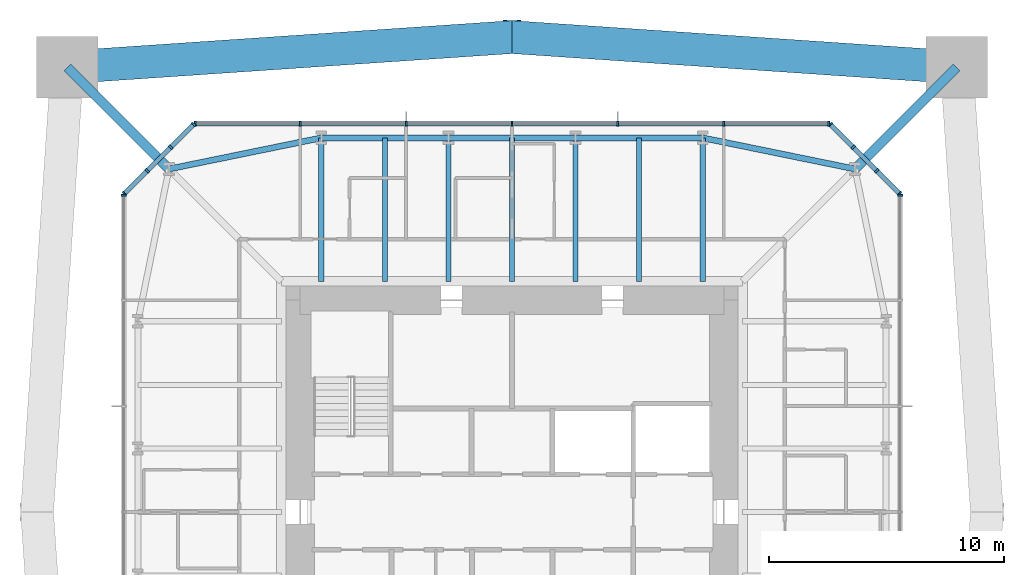
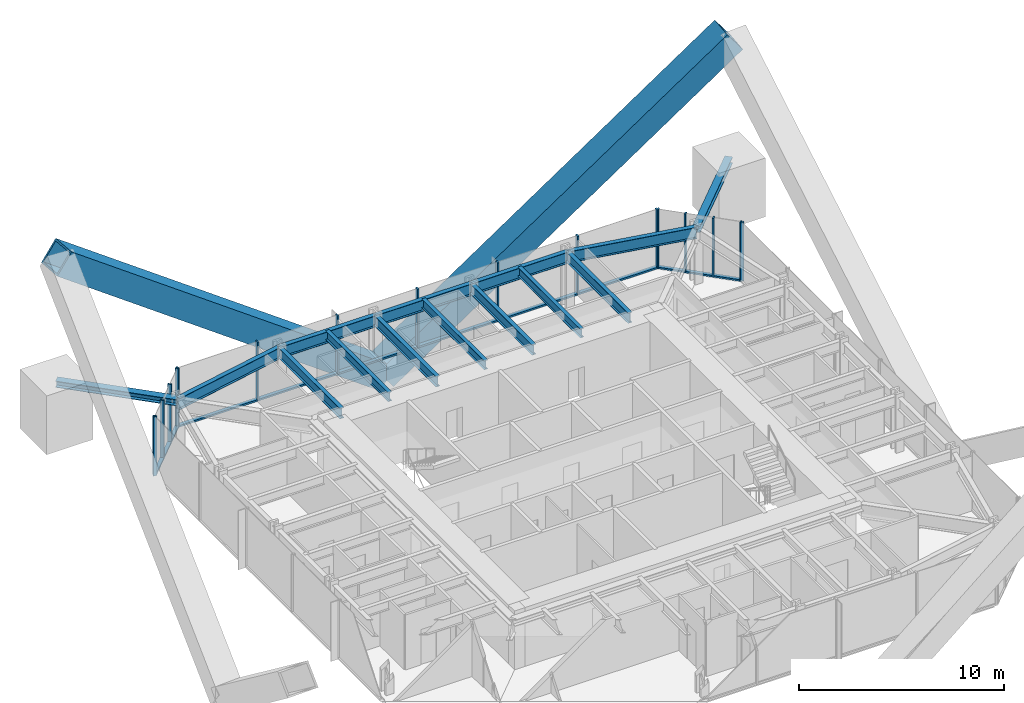
# One storey, part 6 of 11: 33 members, 12 beams, 5 elements without a shape of their own.
"""IFC4 building model written with IfcOpenShell, lengths in metres."""

from ifc_helpers import new_model, si_unit, direction, frame, origin, origin_2d, place, context, subcontext, project, spatial, rectangle, hollow_rectangle, i_section, extrude, material, material_profile, profile_set, type_object, element, aggregate, save


model = new_model("IFC4")

# Units and contexts
model_context = context("Model", 3, precision=1e-05, world=origin(), true_north=direction((0.0, 1.0)))
body_context = subcontext(model_context, "Body", "Model", "MODEL_VIEW")
ifc_project = project(units=[si_unit("LENGTHUNIT", "METRE"), si_unit("AREAUNIT", "SQUARE_METRE"), si_unit("VOLUMEUNIT", "CUBIC_METRE"), si_unit("PLANEANGLEUNIT", "RADIAN"), si_unit("MASSUNIT", "GRAM", prefix="KILO")], contexts=[model_context])

# Site, building, storey
site_placement = place(None, origin())
site = spatial("IfcSite", under=ifc_project, at=site_placement, CompositionType="ELEMENT")
building_placement = place(site_placement, origin())
building = spatial("IfcBuilding", under=site, at=building_placement, Name="Iwan Alto Co-Living Towers", CompositionType="ELEMENT")
storey_placement = place(building_placement, frame((0.0, 0.0, 229.0)))
storey = spatial("IfcBuildingStorey", under=building, at=storey_placement, Name="L62", CompositionType="ELEMENT", Elevation=229.0)

# Curtain wall, member
ifc_material_1 = material(Name="Bronze aluminium unitised frame", Category="aluminium")
curtain_wall_type_1 = type_object("IfcCurtainWallType", Name="CURTAIN WALL CW-A", PredefinedType="NOTDEFINED", material=ifc_material_1)
curtain_wall_1_placement = place(storey_placement, origin())
curtain_wall_1 = element("IfcCurtainWall", 1, at=curtain_wall_1_placement, inside=storey, type_object=curtain_wall_type_1, Name="T1 curtain wall E L62", PredefinedType="NOTDEFINED")
ifc_material_2 = material(Name="Aluminium 6063-T6 bronze anodised", Category="aluminium")
ifc_material_profile_1 = material_profile(ifc_material_2, rectangle(XDim=0.199951171875, YDim=0.080078125, at=origin_2d()), Name="AL 80X200")
ifc_profile_set_1 = profile_set([ifc_material_profile_1], Name="Aluminium 6063-T6 bronze anodised")
member_type_1 = type_object("IfcMemberType", Name="CW-A MULLION 80X200", PredefinedType="MULLION", material=ifc_profile_set_1)
member_1_placement = place(storey_placement, frame((16.5, 13.4599609375, 0.0), z_axis=(0.0, 0.0, 1.0), x_axis=(-1.0, 0.0, 0.0)))
member_1 = element("IfcMember", 2, at=member_1_placement, type_object=member_type_1, Name="CW-A mullion 7", PredefinedType="MULLION", context=body_context, shape_type="SweptSolid", body=[
    extrude(rectangle(XDim=0.199951171875, YDim=0.080078125, at=origin_2d()), origin(), (0.0, 0.0, 1.0), 3.5),
])
aggregate(curtain_wall_1, [member_1])

# Curtain wall, members
curtain_wall_2_placement = place(storey_placement, origin())
curtain_wall_2 = element("IfcCurtainWall", 3, at=curtain_wall_2_placement, inside=storey, type_object=curtain_wall_type_1, Name="T1 curtain wall N L62", PredefinedType="NOTDEFINED")
member_2_placement = place(storey_placement, frame((13.4599609375, 16.5, 0.0), z_axis=(0.0, 0.0, 1.0), x_axis=(0.0, -1.0, 0.0)))
member_2 = element("IfcMember", 4, at=member_2_placement, type_object=member_type_1, Name="CW-A mullion 1", PredefinedType="MULLION", context=body_context, shape_type="SweptSolid", body=[
    extrude(rectangle(XDim=0.199951171875, YDim=0.080078125, at=origin_2d()), origin(), (0.0, 0.0, 1.0), 3.5),
])
member_3_placement = place(storey_placement, frame((9.0, 16.5, 0.0), z_axis=(0.0, 0.0, 1.0), x_axis=(0.0, -1.0, 0.0)))
member_3 = element("IfcMember", 5, at=member_3_placement, type_object=member_type_1, Name="CW-A mullion 2", PredefinedType="MULLION", context=body_context, shape_type="SweptSolid", body=[
    extrude(rectangle(XDim=0.199951171875, YDim=0.080078125, at=origin_2d()), origin(), (0.0, 0.0, 1.0), 3.5),
])
member_4_placement = place(storey_placement, frame((4.5, 16.5, 0.0), z_axis=(0.0, 0.0, 1.0), x_axis=(0.0, -1.0, 0.0)))
member_4 = element("IfcMember", 6, at=member_4_placement, type_object=member_type_1, Name="CW-A mullion 3", PredefinedType="MULLION", context=body_context, shape_type="SweptSolid", body=[
    extrude(rectangle(XDim=0.199951171875, YDim=0.080078125, at=origin_2d()), origin(), (0.0, 0.0, 1.0), 3.5),
])
member_5_placement = place(storey_placement, frame((0.0, 16.5, 0.0), z_axis=(0.0, 0.0, 1.0), x_axis=(0.0, -1.0, 0.0)))
member_5 = element("IfcMember", 7, at=member_5_placement, type_object=member_type_1, Name="CW-A mullion 4", PredefinedType="MULLION", context=body_context, shape_type="SweptSolid", body=[
    extrude(rectangle(XDim=0.199951171875, YDim=0.080078125, at=origin_2d()), origin(), (0.0, 0.0, 1.0), 3.5),
])
member_6_placement = place(storey_placement, frame((-4.5, 16.5, 0.0), z_axis=(0.0, 0.0, 1.0), x_axis=(0.0, -1.0, 0.0)))
member_6 = element("IfcMember", 8, at=member_6_placement, type_object=member_type_1, Name="CW-A mullion 5", PredefinedType="MULLION", context=body_context, shape_type="SweptSolid", body=[
    extrude(rectangle(XDim=0.199951171875, YDim=0.080078125, at=origin_2d()), origin(), (0.0, 0.0, 1.0), 3.5),
])
member_7_placement = place(storey_placement, frame((-9.0, 16.5, 0.0), z_axis=(0.0, 0.0, 1.0), x_axis=(0.0, -1.0, 0.0)))
member_7 = element("IfcMember", 9, at=member_7_placement, type_object=member_type_1, Name="CW-A mullion 6", PredefinedType="MULLION", context=body_context, shape_type="SweptSolid", body=[
    extrude(rectangle(XDim=0.199951171875, YDim=0.080078125, at=origin_2d()), origin(), (0.0, 0.0, 1.0), 3.5),
])
member_8_placement = place(storey_placement, frame((-13.4599609375, 16.5, 0.0), z_axis=(0.0, 0.0, 1.0), x_axis=(0.0, -1.0, 0.0)))
member_8 = element("IfcMember", 10, at=member_8_placement, type_object=member_type_1, Name="CW-A mullion 7", PredefinedType="MULLION", context=body_context, shape_type="SweptSolid", body=[
    extrude(rectangle(XDim=0.199951171875, YDim=0.080078125, at=origin_2d()), origin(), (0.0, 0.0, 1.0), 3.5),
])

# Curtain wall, member
curtain_wall_3_placement = place(storey_placement, origin())
curtain_wall_3 = element("IfcCurtainWall", 11, at=curtain_wall_3_placement, inside=storey, type_object=curtain_wall_type_1, Name="T1 curtain wall W L62", PredefinedType="NOTDEFINED")
member_9_placement = place(storey_placement, frame((-16.5, 13.4599609375, 0.0), z_axis=(0.0, 0.0, 1.0), x_axis=(1.0, 0.0, 0.0)))
member_9 = element("IfcMember", 12, at=member_9_placement, type_object=member_type_1, Name="CW-A mullion 1", PredefinedType="MULLION", context=body_context, shape_type="SweptSolid", body=[
    extrude(rectangle(XDim=0.199951171875, YDim=0.080078125, at=origin_2d()), origin(), (0.0, 0.0, 1.0), 3.5),
])
aggregate(curtain_wall_3, [member_9])

# Member
ifc_material_3 = material(Name="Aluminium 6063-T6 bronze anodised", Category="aluminium")
ifc_material_profile_2 = material_profile(ifc_material_3, rectangle(XDim=0.199951171875, YDim=0.10009765625, at=origin_2d()), Name="AL 200X100")
ifc_profile_set_2 = profile_set([ifc_material_profile_2], Name="Aluminium 6063-T6 bronze anodised")
member_type_2 = type_object("IfcMemberType", Name="CW-A TRANSOM 200X100", PredefinedType="USERDEFINED", material=ifc_profile_set_2)
member_10_placement = place(storey_placement, frame((13.419921875, 16.5, 0.050048828125), z_axis=(-1.0, 0.0, 0.0), x_axis=(0.0, -1.0, 0.0)))
member_10 = element("IfcMember", 13, at=member_10_placement, type_object=member_type_2, Name="CW-A transom 1.1", ObjectType="TRANSOM", PredefinedType="USERDEFINED", context=body_context, shape_type="SweptSolid", body=[
    extrude(rectangle(XDim=0.199951171875, YDim=0.10009765625, at=origin_2d()), origin(), (0.0, 0.0, 1.0), 4.3798828125),
])

member_11_placement = place(storey_placement, frame((8.9599609375, 16.5, 0.050048828125), z_axis=(-1.0, 0.0, 0.0), x_axis=(0.0, -1.0, 0.0)))
member_11 = element("IfcMember", 14, at=member_11_placement, type_object=member_type_2, Name="CW-A transom 2.1", ObjectType="TRANSOM", PredefinedType="USERDEFINED", context=body_context, shape_type="SweptSolid", body=[
    extrude(rectangle(XDim=0.199951171875, YDim=0.10009765625, at=origin_2d()), origin(), (0.0, 0.0, 1.0), 4.419921875),
])

member_12_placement = place(storey_placement, frame((4.4599609375, 16.5, 0.050048828125), z_axis=(-1.0, 0.0, 0.0), x_axis=(0.0, -1.0, 0.0)))
member_12 = element("IfcMember", 15, at=member_12_placement, type_object=member_type_2, Name="CW-A transom 3.1", ObjectType="TRANSOM", PredefinedType="USERDEFINED", context=body_context, shape_type="SweptSolid", body=[
    extrude(rectangle(XDim=0.199951171875, YDim=0.10009765625, at=origin_2d()), origin(), (0.0, 0.0, 1.0), 4.419921875),
])

member_13_placement = place(storey_placement, frame((-0.0400390625, 16.5, 0.050048828125), z_axis=(-1.0, 0.0, 0.0), x_axis=(0.0, -1.0, 0.0)))
member_13 = element("IfcMember", 16, at=member_13_placement, type_object=member_type_2, Name="CW-A transom 4.1", ObjectType="TRANSOM", PredefinedType="USERDEFINED", context=body_context, shape_type="SweptSolid", body=[
    extrude(rectangle(XDim=0.199951171875, YDim=0.10009765625, at=origin_2d()), origin(), (0.0, 0.0, 1.0), 4.419921875),
])

member_14_placement = place(storey_placement, frame((-4.5400390625, 16.5, 0.050048828125), z_axis=(-1.0, 0.0, 0.0), x_axis=(0.0, -1.0, 0.0)))
member_14 = element("IfcMember", 17, at=member_14_placement, type_object=member_type_2, Name="CW-A transom 5.1", ObjectType="TRANSOM", PredefinedType="USERDEFINED", context=body_context, shape_type="SweptSolid", body=[
    extrude(rectangle(XDim=0.199951171875, YDim=0.10009765625, at=origin_2d()), origin(), (0.0, 0.0, 1.0), 4.419921875),
])

member_15_placement = place(storey_placement, frame((-9.0400390625, 16.5, 0.050048828125), z_axis=(-1.0, 0.0, 0.0), x_axis=(0.0, -1.0, 0.0)))
member_15 = element("IfcMember", 18, at=member_15_placement, type_object=member_type_2, Name="CW-A transom 6.1", ObjectType="TRANSOM", PredefinedType="USERDEFINED", context=body_context, shape_type="SweptSolid", body=[
    extrude(rectangle(XDim=0.199951171875, YDim=0.10009765625, at=origin_2d()), origin(), (0.0, 0.0, 1.0), 4.3798828125),
])

aggregate(curtain_wall_2, [member_2, member_3, member_4, member_5, member_6, member_7, member_8, member_10, member_11, member_12, member_13, member_14, member_15])

# Curtain wall, members
ifc_material_4 = material(Name="Bronze aluminium unitised frame", Category="aluminium")
curtain_wall_type_2 = type_object("IfcCurtainWallType", Name="CURTAIN WALL CW-B", PredefinedType="NOTDEFINED", material=ifc_material_4)
curtain_wall_4_placement = place(storey_placement, origin())
curtain_wall_4 = element("IfcCurtainWall", 19, at=curtain_wall_4_placement, inside=storey, type_object=curtain_wall_type_2, Name="T1 chamfer curtain wall NE L62", PredefinedType="NOTDEFINED")
ifc_material_5 = material(Name="Aluminium 6063-T6 bronze anodised", Category="aluminium")
ifc_material_profile_3 = material_profile(ifc_material_5, rectangle(XDim=0.199951171875, YDim=0.080078125, at=origin_2d()), Name="AL 80X200")
ifc_profile_set_3 = profile_set([ifc_material_profile_3], Name="Aluminium 6063-T6 bronze anodised")
member_type_3 = type_object("IfcMemberType", Name="CW-B MULLION 80X200", PredefinedType="MULLION", material=ifc_profile_set_3)
member_16_placement = place(storey_placement, frame((16.4716796875, 13.5283203125, 0.0), z_axis=(0.0, 0.0, 1.0), x_axis=(-0.707106781187, -0.707106781187, 0.0)))
member_16 = element("IfcMember", 20, at=member_16_placement, type_object=member_type_3, Name="CW-B mullion 1", PredefinedType="MULLION", context=body_context, shape_type="SweptSolid", body=[
    extrude(rectangle(XDim=0.199951171875, YDim=0.080078125, at=origin_2d()), origin(), (0.0, 0.0, 1.0), 3.5),
])
member_17_placement = place(storey_placement, frame((15.5, 14.5, 0.0), z_axis=(0.0, 0.0, 1.0), x_axis=(-0.707106781187, -0.707106781187, 0.0)))
member_17 = element("IfcMember", 21, at=member_17_placement, type_object=member_type_3, Name="CW-B mullion 2", PredefinedType="MULLION", context=body_context, shape_type="SweptSolid", body=[
    extrude(rectangle(XDim=0.199951171875, YDim=0.080078125, at=origin_2d()), origin(), (0.0, 0.0, 1.0), 3.5),
])
member_18_placement = place(storey_placement, frame((14.5, 15.5, 0.0), z_axis=(0.0, 0.0, 1.0), x_axis=(-0.707106781187, -0.707106781187, 0.0)))
member_18 = element("IfcMember", 22, at=member_18_placement, type_object=member_type_3, Name="CW-B mullion 3", PredefinedType="MULLION", context=body_context, shape_type="SweptSolid", body=[
    extrude(rectangle(XDim=0.199951171875, YDim=0.080078125, at=origin_2d()), origin(), (0.0, 0.0, 1.0), 3.5),
])
member_19_placement = place(storey_placement, frame((13.5283203125, 16.4716796875, 0.0), z_axis=(0.0, 0.0, 1.0), x_axis=(-0.707106781187, -0.707106781187, 0.0)))
member_19 = element("IfcMember", 23, at=member_19_placement, type_object=member_type_3, Name="CW-B mullion 4", PredefinedType="MULLION", context=body_context, shape_type="SweptSolid", body=[
    extrude(rectangle(XDim=0.199951171875, YDim=0.080078125, at=origin_2d()), origin(), (0.0, 0.0, 1.0), 3.5),
])

curtain_wall_5_placement = place(storey_placement, origin())
curtain_wall_5 = element("IfcCurtainWall", 24, at=curtain_wall_5_placement, inside=storey, type_object=curtain_wall_type_2, Name="T1 chamfer curtain wall NW L62", PredefinedType="NOTDEFINED")
member_20_placement = place(storey_placement, frame((-13.5283203125, 16.4716796875, 0.0), z_axis=(0.0, 0.0, 1.0), x_axis=(0.707106781187, -0.707106781187, 0.0)))
member_20 = element("IfcMember", 25, at=member_20_placement, type_object=member_type_3, Name="CW-B mullion 1", PredefinedType="MULLION", context=body_context, shape_type="SweptSolid", body=[
    extrude(rectangle(XDim=0.199951171875, YDim=0.080078125, at=origin_2d()), origin(), (0.0, 0.0, 1.0), 3.5),
])
member_21_placement = place(storey_placement, frame((-14.5, 15.5, 0.0), z_axis=(0.0, 0.0, 1.0), x_axis=(0.707106781187, -0.707106781187, 0.0)))
member_21 = element("IfcMember", 26, at=member_21_placement, type_object=member_type_3, Name="CW-B mullion 2", PredefinedType="MULLION", context=body_context, shape_type="SweptSolid", body=[
    extrude(rectangle(XDim=0.199951171875, YDim=0.080078125, at=origin_2d()), origin(), (0.0, 0.0, 1.0), 3.5),
])
member_22_placement = place(storey_placement, frame((-15.5, 14.5, 0.0), z_axis=(0.0, 0.0, 1.0), x_axis=(0.707106781187, -0.707106781187, 0.0)))
member_22 = element("IfcMember", 27, at=member_22_placement, type_object=member_type_3, Name="CW-B mullion 3", PredefinedType="MULLION", context=body_context, shape_type="SweptSolid", body=[
    extrude(rectangle(XDim=0.199951171875, YDim=0.080078125, at=origin_2d()), origin(), (0.0, 0.0, 1.0), 3.5),
])
member_23_placement = place(storey_placement, frame((-16.4716796875, 13.5283203125, 0.0), z_axis=(0.0, 0.0, 1.0), x_axis=(0.707106781187, -0.707106781187, 0.0)))
member_23 = element("IfcMember", 28, at=member_23_placement, type_object=member_type_3, Name="CW-B mullion 4", PredefinedType="MULLION", context=body_context, shape_type="SweptSolid", body=[
    extrude(rectangle(XDim=0.199951171875, YDim=0.080078125, at=origin_2d()), origin(), (0.0, 0.0, 1.0), 3.5),
])

# Member
ifc_material_6 = material(Name="Aluminium 6063-T6 bronze anodised", Category="aluminium")
ifc_material_profile_4 = material_profile(ifc_material_6, rectangle(XDim=0.199951171875, YDim=0.10009765625, at=origin_2d()), Name="AL 200X100")
ifc_profile_set_4 = profile_set([ifc_material_profile_4], Name="Aluminium 6063-T6 bronze anodised")
member_type_4 = type_object("IfcMemberType", Name="CW-B TRANSOM 200X100", PredefinedType="USERDEFINED", material=ifc_profile_set_4)
member_24_placement = place(storey_placement, frame((16.443359375, 13.556640625, 0.050048828125), z_axis=(-0.707106781187, 0.707106781187, 0.0), x_axis=(-0.707106781187, -0.707106781187, 0.0)))
member_24 = element("IfcMember", 29, at=member_24_placement, type_object=member_type_4, Name="CW-B transom 1.1", ObjectType="TRANSOM", PredefinedType="USERDEFINED", context=body_context, shape_type="SweptSolid", body=[
    extrude(rectangle(XDim=0.199951171875, YDim=0.10009765625, at=origin_2d()), origin(), (0.0, 0.0, 1.0), 1.2939453125),
])

member_25_placement = place(storey_placement, frame((15.4716796875, 14.5283203125, 0.050048828125), z_axis=(-0.707106781187, 0.707106781187, 0.0), x_axis=(-0.707106781187, -0.707106781187, 0.0)))
member_25 = element("IfcMember", 30, at=member_25_placement, type_object=member_type_4, Name="CW-B transom 2.1", ObjectType="TRANSOM", PredefinedType="USERDEFINED", context=body_context, shape_type="SweptSolid", body=[
    extrude(rectangle(XDim=0.199951171875, YDim=0.10009765625, at=origin_2d()), origin(), (0.0, 0.0, 1.0), 1.334228515625),
])

member_26_placement = place(storey_placement, frame((14.4716796875, 15.5283203125, 0.050048828125), z_axis=(-0.707106781187, 0.707106781187, 0.0), x_axis=(-0.707106781187, -0.707106781187, 0.0)))
member_26 = element("IfcMember", 31, at=member_26_placement, type_object=member_type_4, Name="CW-B transom 3.1", ObjectType="TRANSOM", PredefinedType="USERDEFINED", context=body_context, shape_type="SweptSolid", body=[
    extrude(rectangle(XDim=0.199951171875, YDim=0.10009765625, at=origin_2d()), origin(), (0.0, 0.0, 1.0), 1.2939453125),
])

aggregate(curtain_wall_4, [member_16, member_17, member_18, member_19, member_24, member_25, member_26])

member_27_placement = place(storey_placement, frame((-13.556640625, 16.443359375, 0.050048828125), z_axis=(-0.707106781187, -0.707106781187, 0.0), x_axis=(0.707106781187, -0.707106781187, 0.0)))
member_27 = element("IfcMember", 32, at=member_27_placement, type_object=member_type_4, Name="CW-B transom 1.1", ObjectType="TRANSOM", PredefinedType="USERDEFINED", context=body_context, shape_type="SweptSolid", body=[
    extrude(rectangle(XDim=0.199951171875, YDim=0.10009765625, at=origin_2d()), origin(), (0.0, 0.0, 1.0), 1.2939453125),
])

member_28_placement = place(storey_placement, frame((-14.5283203125, 15.4716796875, 0.050048828125), z_axis=(-0.707106781187, -0.707106781187, 0.0), x_axis=(0.707106781187, -0.707106781187, 0.0)))
member_28 = element("IfcMember", 33, at=member_28_placement, type_object=member_type_4, Name="CW-B transom 2.1", ObjectType="TRANSOM", PredefinedType="USERDEFINED", context=body_context, shape_type="SweptSolid", body=[
    extrude(rectangle(XDim=0.199951171875, YDim=0.10009765625, at=origin_2d()), origin(), (0.0, 0.0, 1.0), 1.334228515625),
])

member_29_placement = place(storey_placement, frame((-15.5283203125, 14.4716796875, 0.050048828125), z_axis=(-0.707106781187, -0.707106781187, 0.0), x_axis=(0.707106781187, -0.707106781187, 0.0)))
member_29 = element("IfcMember", 34, at=member_29_placement, type_object=member_type_4, Name="CW-B transom 3.1", ObjectType="TRANSOM", PredefinedType="USERDEFINED", context=body_context, shape_type="SweptSolid", body=[
    extrude(rectangle(XDim=0.199951171875, YDim=0.10009765625, at=origin_2d()), origin(), (0.0, 0.0, 1.0), 1.2939453125),
])

aggregate(curtain_wall_5, [member_20, member_21, member_22, member_23, member_27, member_28, member_29])

# Beams
ifc_material_7 = material(Name="Steel ASTM A992 Gr 50", Category="steel")
ifc_material_profile_5 = material_profile(ifc_material_7, i_section(OverallWidth=0.25390625, OverallDepth=0.683349609375, WebThickness=0.012451171875, FlangeThickness=0.018798828125, at=origin_2d()), Name="W27X94")
ifc_profile_set_5 = profile_set([ifc_material_profile_5], Name="Steel ASTM A992 Gr 50")
beam_type_1 = type_object("IfcBeamType", Name="T1 EDGE BEAM W27X94", PredefinedType="BEAM", material=ifc_profile_set_5)
beam_1_placement = place(storey_placement, frame((14.57568359375, 14.57568359375, 2.928466796875), z_axis=(-0.979724820103, 0.200347889618, 0.0), x_axis=(-0.200347889618, -0.979724820103, 0.0)))
element("IfcBeam", 35, at=beam_1_placement, inside=storey, type_object=beam_type_1, Name="T1 edge beam CNE L63", PredefinedType="BEAM", context=body_context, shape_type="SweptSolid", body=[
    extrude(i_section(OverallWidth=0.25390625, OverallDepth=0.683349609375, WebThickness=0.012451171875, FlangeThickness=0.018798828125, at=origin_2d()), origin(), (0.0, 0.0, 1.0), 6.609619140625),
])
beam_2_placement = place(storey_placement, frame((8.10009765625, 15.89990234375, 2.928466796875), z_axis=(-1.0, 0.0, 0.0), x_axis=(0.0, -1.0, 0.0)))
element("IfcBeam", 36, at=beam_2_placement, inside=storey, type_object=beam_type_1, Name="T1 edge beam N1 L63", PredefinedType="BEAM", context=body_context, shape_type="SweptSolid", body=[
    extrude(i_section(OverallWidth=0.25390625, OverallDepth=0.683349609375, WebThickness=0.012451171875, FlangeThickness=0.018798828125, at=origin_2d()), origin(), (0.0, 0.0, 1.0), 5.400146484375),
])
beam_3_placement = place(storey_placement, frame((2.699951171875, 15.89990234375, 2.928466796875), z_axis=(-1.0, 0.0, 0.0), x_axis=(0.0, -1.0, 0.0)))
element("IfcBeam", 37, at=beam_3_placement, inside=storey, type_object=beam_type_1, Name="T1 edge beam N2 L63", PredefinedType="BEAM", context=body_context, shape_type="SweptSolid", body=[
    extrude(i_section(OverallWidth=0.25390625, OverallDepth=0.683349609375, WebThickness=0.012451171875, FlangeThickness=0.018798828125, at=origin_2d()), origin(), (0.0, 0.0, 1.0), 5.39990234375),
])
beam_4_placement = place(storey_placement, frame((-2.699951171875, 15.89990234375, 2.928466796875), z_axis=(-1.0, 0.0, 0.0), x_axis=(0.0, -1.0, 0.0)))
element("IfcBeam", 38, at=beam_4_placement, inside=storey, type_object=beam_type_1, Name="T1 edge beam N3 L63", PredefinedType="BEAM", context=body_context, shape_type="SweptSolid", body=[
    extrude(i_section(OverallWidth=0.25390625, OverallDepth=0.683349609375, WebThickness=0.012451171875, FlangeThickness=0.018798828125, at=origin_2d()), origin(), (0.0, 0.0, 1.0), 5.400146484375),
])
beam_5_placement = place(storey_placement, frame((-8.10009765625, 15.89990234375, 2.928466796875), z_axis=(-0.979724820103, -0.200347889618, 0.0), x_axis=(0.200347889618, -0.979724820103, 0.0)))
element("IfcBeam", 39, at=beam_5_placement, inside=storey, type_object=beam_type_1, Name="T1 edge beam N4 L63", PredefinedType="BEAM", context=body_context, shape_type="SweptSolid", body=[
    extrude(i_section(OverallWidth=0.25390625, OverallDepth=0.683349609375, WebThickness=0.012451171875, FlangeThickness=0.018798828125, at=origin_2d()), origin(), (0.0, 0.0, 1.0), 6.609619140625),
])

# Members
ifc_material_8 = material(Name="Steel ASTM A572 Gr 50", Category="steel")
ifc_material_profile_6 = material_profile(ifc_material_8, hollow_rectangle(XDim=1.39990234375, YDim=1.39990234375, WallThickness=0.10009765625, at=origin_2d()), Name="BOX 1400X1400X100")
ifc_profile_set_6 = profile_set([ifc_material_profile_6], Name="Steel ASTM A572 Gr 50")
member_type_5 = type_object("IfcMemberType", Name="T1 MEGA BRACE BOX 1400X1400X100", PredefinedType="BRACE", material=ifc_profile_set_6)
for number, where, z_axis, x_axis, name in (
    (40, (0.0, 20.181640625, -3.7158203125), (-0.797998095626, -0.054117989021, 0.600225193274), (0.067661775131, -0.997708316186, 0.0), "T1 mega brace Z4A N 1 upper"),
    (41, (0.0, 20.181640625, -3.7158203125), (0.797998095626, -0.054117989021, 0.600225193274), (0.067661775131, 0.997708316186, 0.0), "T1 mega brace Z4A N 2 upper"),
):
    element("IfcMember", number, at=place(storey_placement, frame(where, z_axis=z_axis, x_axis=x_axis)), inside=storey, type_object=member_type_5, Name=name, PredefinedType="BRACE", context=body_context, shape_type="SweptSolid", body=[
        extrude(hollow_rectangle(XDim=1.39990234375, YDim=1.39990234375, WallThickness=0.10009765625, at=origin_2d()), origin(), (0.0, 0.0, 1.0), 23.68408203125),
    ])
ifc_material_9 = material(Name="Steel ASTM A992 Gr 50", Category="steel")
ifc_material_profile_7 = material_profile(ifc_material_9, i_section(OverallWidth=0.393798828125, OverallDepth=0.3759765625, WebThickness=0.017333984375, FlangeThickness=0.027587890625, at=origin_2d()), Name="W14X145")
ifc_profile_set_7 = profile_set([ifc_material_profile_7], Name="Steel ASTM A992 Gr 50")
member_type_6 = type_object("IfcMemberType", Name="T1 MEGA COLUMN FLOOR TIE W14X145", PredefinedType="STRUT", material=ifc_profile_set_7)
for number, where, z_axis, x_axis, name in (
    (42, (18.89990234375, 18.89990234375, 3.08203125), (-0.707106781187, -0.707106781187, 0.0), (0.707106781187, -0.707106781187, 0.0), "T1 mega column floor tie NE L63"),
    (43, (-18.89990234375, 18.89990234375, 3.08203125), (0.707106781187, -0.707106781187, 0.0), (0.707106781187, 0.707106781187, 0.0), "T1 mega column floor tie NW L63"),
):
    element("IfcMember", number, at=place(storey_placement, frame(where, z_axis=z_axis, x_axis=x_axis)), inside=storey, type_object=member_type_6, Name=name, PredefinedType="STRUT", context=body_context, shape_type="SweptSolid", body=[
        extrude(i_section(OverallWidth=0.393798828125, OverallDepth=0.3759765625, WebThickness=0.017333984375, FlangeThickness=0.027587890625, at=origin_2d()), origin(), (0.0, 0.0, 1.0), 6.115478515625),
    ])

# Beams
ifc_material_10 = material(Name="Steel ASTM A992 Gr 50", Category="steel")
ifc_material_profile_8 = material_profile(ifc_material_10, i_section(OverallWidth=0.228271484375, OverallDepth=0.607177734375, WebThickness=0.01123046875, FlangeThickness=0.017333984375, at=origin_2d()), Name="W24X76")
ifc_profile_set_8 = profile_set([ifc_material_profile_8], Name="Steel ASTM A992 Gr 50")
beam_type_2 = type_object("IfcBeamType", Name="T1 RADIAL BEAM W24X76", PredefinedType="BEAM", material=ifc_profile_set_8)
for number, where, z_axis, x_axis, name in (
    (44, (8.10009765625, 15.89990234375, 2.966552734375), (0.0, -1.0, 0.0), (1.0, 0.0, 0.0), "T1 radial beam N1 L63"),
    (45, (2.699951171875, 15.89990234375, 2.966552734375), (0.0, -1.0, 0.0), (1.0, 0.0, 0.0), "T1 radial beam N2 L63"),
    (46, (-2.699951171875, 15.89990234375, 2.966552734375), (0.0, -1.0, 0.0), (1.0, 0.0, 0.0), "T1 radial beam N3 L63"),
    (47, (-8.10009765625, 15.89990234375, 2.966552734375), (0.0, -1.0, 0.0), (1.0, 0.0, 0.0), "T1 radial beam N4 L63"),
):
    element("IfcBeam", number, at=place(storey_placement, frame(where, z_axis=z_axis, x_axis=x_axis)), inside=storey, type_object=beam_type_2, Name=name, PredefinedType="BEAM", context=body_context, shape_type="SweptSolid", body=[
        extrude(i_section(OverallWidth=0.228271484375, OverallDepth=0.607177734375, WebThickness=0.01123046875, FlangeThickness=0.017333984375, at=origin_2d()), origin(), (0.0, 0.0, 1.0), 6.1005859375),
    ])
ifc_material_11 = material(Name="Steel ASTM A992 Gr 50", Category="steel")
ifc_material_profile_9 = material_profile(ifc_material_11, i_section(OverallWidth=0.209228515625, OverallDepth=0.533447265625, WebThickness=0.01025390625, FlangeThickness=0.015625, at=origin_2d()), Name="W21X62")
ifc_profile_set_9 = profile_set([ifc_material_profile_9], Name="Steel ASTM A992 Gr 50")
beam_type_3 = type_object("IfcBeamType", Name="T1 SECONDARY BEAM W21X62", PredefinedType="JOIST", material=ifc_profile_set_9)
for number, where, z_axis, x_axis, name in (
    (48, (5.39990234375, 15.89990234375, 3.00341796875), (0.0, -1.0, 0.0), (1.0, 0.0, 0.0), "T1 secondary beam N1 L63"),
    (49, (0.0, 15.89990234375, 3.00341796875), (0.0, -1.0, 0.0), (1.0, 0.0, 0.0), "T1 secondary beam N2 L63"),
    (50, (-5.39990234375, 15.89990234375, 3.00341796875), (0.0, -1.0, 0.0), (1.0, 0.0, 0.0), "T1 secondary beam N3 L63"),
):
    element("IfcBeam", number, at=place(storey_placement, frame(where, z_axis=z_axis, x_axis=x_axis)), inside=storey, type_object=beam_type_3, Name=name, PredefinedType="JOIST", context=body_context, shape_type="SweptSolid", body=[
        extrude(i_section(OverallWidth=0.209228515625, OverallDepth=0.533447265625, WebThickness=0.01025390625, FlangeThickness=0.015625, at=origin_2d()), origin(), (0.0, 0.0, 1.0), 6.1005859375),
    ])

save(model, "model.ifc")
